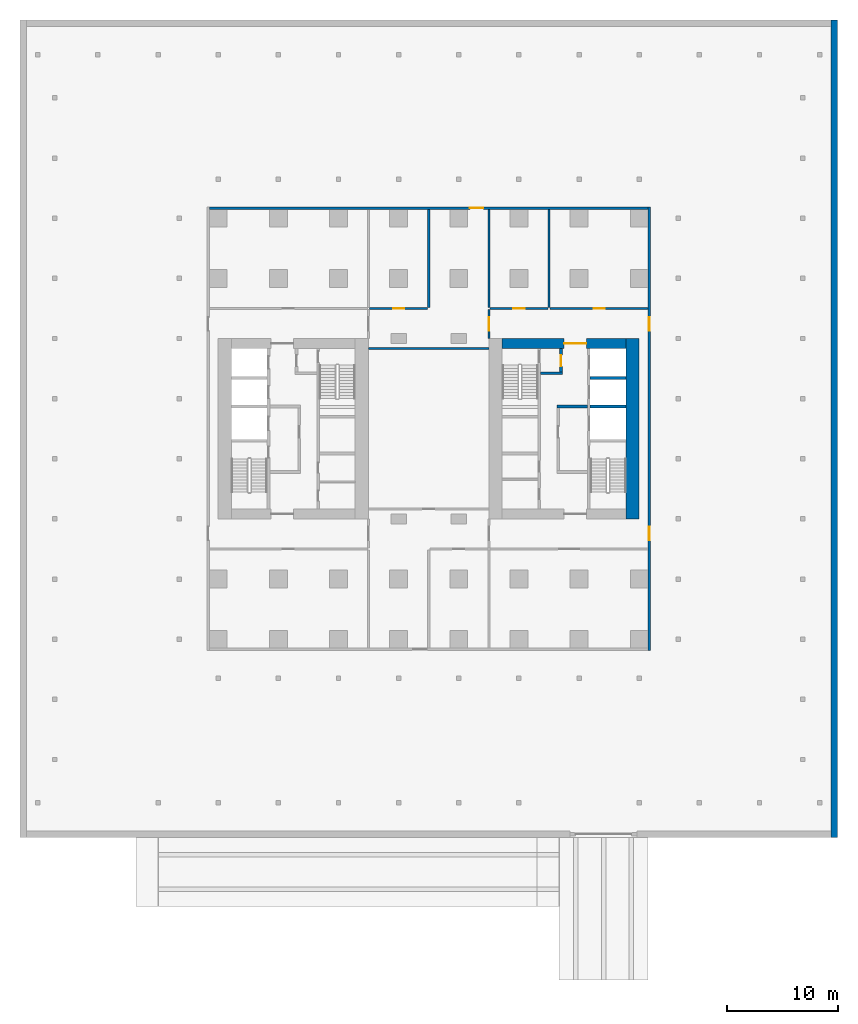
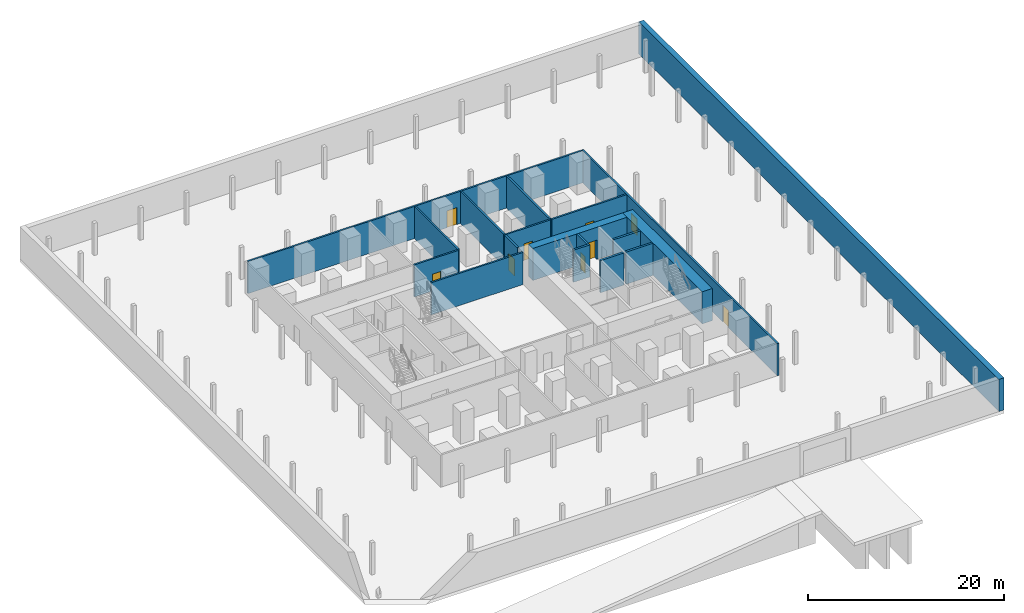
# One storey, part 4 of 6: 18 walls, 9 doors, 9 openings.
"""IFC4 building model written with IfcOpenShell, lengths in metres."""

from ifc_helpers import new_model, si_unit, direction, frame, frame_2d, origin, place, context, subcontext, project, spatial, rectangle, extrude, material, layer, layer_set, type_object, element, fill, save


model = new_model("IFC4")

# Units and contexts
model_context = context("Model", 3, precision=1e-05, world=origin(), true_north=direction((0.0, 1.0)))
body_context = subcontext(model_context, "Body", "Model", "MODEL_VIEW")
ifc_project = project(units=[si_unit("LENGTHUNIT", "METRE"), si_unit("AREAUNIT", "SQUARE_METRE"), si_unit("VOLUMEUNIT", "CUBIC_METRE"), si_unit("PLANEANGLEUNIT", "RADIAN"), si_unit("MASSUNIT", "GRAM", prefix="KILO")], contexts=[model_context])

# Site, building, storey
site_placement = place(None, origin())
site = spatial("IfcSite", under=ifc_project, at=site_placement, CompositionType="ELEMENT")
building_placement = place(site_placement, origin())
building = spatial("IfcBuilding", under=site, at=building_placement, Name="Tabaq Tower and Sports Hall", CompositionType="ELEMENT")
storey_placement = place(building_placement, frame((0.0, 0.0, -4.5)))
storey = spatial("IfcBuildingStorey", under=building, at=storey_placement, Name="B01", CompositionType="ELEMENT", Elevation=-4.5)

# Wall, opening, door
ifc_material_1 = material(Name="Blockwork", Category="masonry")
ifc_layer_1 = layer(ifc_material_1, 0.199951171875)
ifc_layer_set_1 = layer_set([ifc_layer_1], Name="Blockwork Wall 200 EI 120")
wall_type_1 = type_object("IfcWallType", Name="Blockwork Wall 200 EI 120", PredefinedType="PARTITIONING", material=ifc_layer_set_1)
wall_1_placement = place(storey_placement, frame((4.60009765625, 44.10009765625, 0.0), z_axis=(0.0, 0.0, 1.0), x_axis=(1.0, 0.0, 0.0)))
wall_1 = element("IfcWall", 1, at=wall_1_placement, inside=storey, type_object=wall_type_1, Name="Wall B01-02", PredefinedType="PARTITIONING", context=body_context, shape_type="SweptSolid", body=[
    extrude(rectangle(XDim=39.39990234375, YDim=0.199951171875, at=frame_2d((19.699951171875, 0.0))), origin(), (0.0, 0.0, 1.0), 4.0),
])
opening_1_placement = place(wall_1_placement, frame((23.39990234375, 0.0, 0.0)))
opening_1 = element("IfcOpeningElement", 2, at=opening_1_placement, cuts=wall_1, Name="Opening B01-02", PredefinedType="OPENING", context=body_context, shape_type="SweptSolid", body=[
    extrude(rectangle(XDim=1.199951171875, YDim=2.10009765625, at=frame_2d((0.60009765625, 1.050048828125))), frame((0.0, 0.10986328125, 0.0), z_axis=(0.0, -1.0, 0.0), x_axis=(1.0, 0.0, 0.0)), (0.0, 0.0, 1.0), 0.219970703125),
])
ifc_material_2 = material(Name="Hollow metal fire door")
door_type_1 = type_object("IfcDoorType", Name="Basement Door 1200 FD120S", OperationType="SINGLE_SWING_LEFT", PredefinedType="DOOR", material=ifc_material_2)
door_1_placement = place(opening_1_placement, origin())
door_1 = element("IfcDoor", 3, at=door_1_placement, inside=storey, type_object=door_type_1, Name="Door B01-02", OperationType="SINGLE_SWING_LEFT", OverallHeight=2.10009765625, OverallWidth=1.199951171875, PredefinedType="DOOR", context=body_context, shape_type="SweptSolid", body=[
    extrude(rectangle(XDim=1.199951171875, YDim=2.10009765625, at=frame_2d((0.60009765625, 1.050048828125))), frame((0.0, 0.02490234375, 0.0), z_axis=(0.0, -1.0, 0.0), x_axis=(1.0, 0.0, 0.0)), (0.0, 0.0, 1.0), 0.050048828125),
])
fill(opening_1, door_1)

# Wall, openings, doors
wall_2_placement = place(storey_placement, frame((44.10009765625, 4.39990234375, 0.0), z_axis=(0.0, 0.0, 1.0), x_axis=(0.0, 1.0, 0.0)))
wall_2 = element("IfcWall", 4, at=wall_2_placement, inside=storey, type_object=wall_type_1, Name="Wall B01-04", PredefinedType="PARTITIONING", context=body_context, shape_type="SweptSolid", body=[
    extrude(rectangle(XDim=39.800048828125, YDim=0.199951171875, at=frame_2d((19.89990234375, 0.0))), origin(), (0.0, 0.0, 1.0), 4.0),
])
opening_2_placement = place(wall_2_placement, frame((9.89990234375, 0.0, 0.0)))
opening_2 = element("IfcOpeningElement", 5, at=opening_2_placement, cuts=wall_2, Name="Opening B01-05", PredefinedType="OPENING", context=body_context, shape_type="SweptSolid", body=[
    extrude(rectangle(XDim=1.199951171875, YDim=2.10009765625, at=frame_2d((0.60009765625, 1.050048828125))), frame((0.0, 0.10986328125, 0.0), z_axis=(0.0, -1.0, 0.0), x_axis=(1.0, 0.0, 0.0)), (0.0, 0.0, 1.0), 0.219970703125),
])
opening_3_placement = place(wall_2_placement, frame((28.699951171875, 0.0, 0.0)))
opening_3 = element("IfcOpeningElement", 6, at=opening_3_placement, cuts=wall_2, Name="Opening B01-06", PredefinedType="OPENING", context=body_context, shape_type="SweptSolid", body=[
    extrude(rectangle(XDim=1.199951171875, YDim=2.10009765625, at=frame_2d((0.60009765625, 1.050048828125))), frame((0.0, 0.10986328125, 0.0), z_axis=(0.0, -1.0, 0.0), x_axis=(1.0, 0.0, 0.0)), (0.0, 0.0, 1.0), 0.219970703125),
])
door_2_placement = place(opening_2_placement, origin())
door_2 = element("IfcDoor", 7, at=door_2_placement, inside=storey, type_object=door_type_1, Name="Door B01-05", OperationType="SINGLE_SWING_LEFT", OverallHeight=2.10009765625, OverallWidth=1.199951171875, PredefinedType="DOOR", context=body_context, shape_type="SweptSolid", body=[
    extrude(rectangle(XDim=1.199951171875, YDim=2.10009765625, at=frame_2d((0.60009765625, 1.050048828125))), frame((0.0, 0.02490234375, 0.0), z_axis=(0.0, -1.0, 0.0), x_axis=(1.0, 0.0, 0.0)), (0.0, 0.0, 1.0), 0.050048828125),
])
fill(opening_2, door_2)
door_3_placement = place(opening_3_placement, origin())
door_3 = element("IfcDoor", 8, at=door_3_placement, inside=storey, type_object=door_type_1, Name="Door B01-06", OperationType="SINGLE_SWING_LEFT", OverallHeight=2.10009765625, OverallWidth=1.199951171875, PredefinedType="DOOR", context=body_context, shape_type="SweptSolid", body=[
    extrude(rectangle(XDim=1.199951171875, YDim=2.10009765625, at=frame_2d((0.60009765625, 1.050048828125))), frame((0.0, 0.02490234375, 0.0), z_axis=(0.0, -1.0, 0.0), x_axis=(1.0, 0.0, 0.0)), (0.0, 0.0, 1.0), 0.050048828125),
])
fill(opening_3, door_3)

# Walls
ifc_material_3 = material(Name="Blockwork", Category="masonry")
ifc_layer_2 = layer(ifc_material_3, 0.199951171875)
ifc_layer_set_2 = layer_set([ifc_layer_2], Name="Blockwork Wall 200 EI 60")
wall_type_2 = type_object("IfcWallType", Name="Blockwork Wall 200 EI 60", PredefinedType="PARTITIONING", material=ifc_layer_set_2)
for number, where, z_axis, x_axis, name in (
    (9, (24.300048828125, 35.199951171875, 0.0), (0.0, 0.0, 1.0), (0.0, 1.0, 0.0), "Wall B01-09"),
    (10, (29.699951171875, 35.199951171875, 0.0), (0.0, 0.0, 1.0), (0.0, 1.0, 0.0), "Wall B01-10"),
    (11, (35.10009765625, 35.199951171875, 0.0), (0.0, 0.0, 1.0), (0.0, 1.0, 0.0), "Wall B01-11"),
):
    element("IfcWall", number, at=place(storey_placement, frame(where, z_axis=z_axis, x_axis=x_axis)), inside=storey, type_object=wall_type_2, Name=name, PredefinedType="PARTITIONING", context=body_context, shape_type="SweptSolid", body=[
        extrude(rectangle(XDim=8.800048828125, YDim=0.199951171875, at=frame_2d((4.39990234375, 0.0))), origin(), (0.0, 0.0, 1.0), 4.0),
    ])

# Wall, opening, door
wall_3_placement = place(storey_placement, frame((19.0, 35.10009765625, 0.0), z_axis=(0.0, 0.0, 1.0), x_axis=(1.0, 0.0, 0.0)))
wall_3 = element("IfcWall", 12, at=wall_3_placement, inside=storey, type_object=wall_type_2, Name="Wall B01-16", PredefinedType="PARTITIONING", context=body_context, shape_type="SweptSolid", body=[
    extrude(rectangle(XDim=5.199951171875, YDim=0.199951171875, at=frame_2d((2.60009765625, 0.0))), origin(), (0.0, 0.0, 1.0), 4.0),
])
opening_4_placement = place(wall_3_placement, frame((2.10009765625, 0.0, 0.0)))
opening_4 = element("IfcOpeningElement", 13, at=opening_4_placement, cuts=wall_3, Name="Opening B01-11", PredefinedType="OPENING", context=body_context, shape_type="SweptSolid", body=[
    extrude(rectangle(XDim=1.0, YDim=2.10009765625, at=frame_2d((0.5, 1.050048828125))), frame((0.0, 0.10986328125, 0.0), z_axis=(0.0, -1.0, 0.0), x_axis=(1.0, 0.0, 0.0)), (0.0, 0.0, 1.0), 0.219970703125),
])
ifc_material_4 = material(Name="Hollow metal fire door")
door_type_2 = type_object("IfcDoorType", Name="Basement Door 1000 FD60S", OperationType="SINGLE_SWING_LEFT", PredefinedType="DOOR", material=ifc_material_4)
door_4_placement = place(opening_4_placement, origin())
door_4 = element("IfcDoor", 14, at=door_4_placement, inside=storey, type_object=door_type_2, Name="Door B01-11", OperationType="SINGLE_SWING_LEFT", OverallHeight=2.10009765625, OverallWidth=1.0, PredefinedType="DOOR", context=body_context, shape_type="SweptSolid", body=[
    extrude(rectangle(XDim=1.0, YDim=2.10009765625, at=frame_2d((0.5, 1.050048828125))), frame((0.0, 0.02490234375, 0.0), z_axis=(0.0, -1.0, 0.0), x_axis=(1.0, 0.0, 0.0)), (0.0, 0.0, 1.0), 0.050048828125),
])
fill(opening_4, door_4)

wall_4_placement = place(storey_placement, frame((29.800048828125, 35.10009765625, 0.0), z_axis=(0.0, 0.0, 1.0), x_axis=(1.0, 0.0, 0.0)))
wall_4 = element("IfcWall", 15, at=wall_4_placement, inside=storey, type_object=wall_type_2, Name="Wall B01-17", PredefinedType="PARTITIONING", context=body_context, shape_type="SweptSolid", body=[
    extrude(rectangle(XDim=5.199951171875, YDim=0.199951171875, at=frame_2d((2.60009765625, 0.0))), origin(), (0.0, 0.0, 1.0), 4.0),
])
opening_5_placement = place(wall_4_placement, frame((2.10009765625, 0.0, 0.0)))
opening_5 = element("IfcOpeningElement", 16, at=opening_5_placement, cuts=wall_4, Name="Opening B01-12", PredefinedType="OPENING", context=body_context, shape_type="SweptSolid", body=[
    extrude(rectangle(XDim=1.0, YDim=2.10009765625, at=frame_2d((0.5, 1.050048828125))), frame((0.0, 0.10986328125, 0.0), z_axis=(0.0, -1.0, 0.0), x_axis=(1.0, 0.0, 0.0)), (0.0, 0.0, 1.0), 0.219970703125),
])
door_5_placement = place(opening_5_placement, origin())
door_5 = element("IfcDoor", 17, at=door_5_placement, inside=storey, type_object=door_type_2, Name="Door B01-12", OperationType="SINGLE_SWING_LEFT", OverallHeight=2.10009765625, OverallWidth=1.0, PredefinedType="DOOR", context=body_context, shape_type="SweptSolid", body=[
    extrude(rectangle(XDim=1.0, YDim=2.10009765625, at=frame_2d((0.5, 1.050048828125))), frame((0.0, 0.02490234375, 0.0), z_axis=(0.0, -1.0, 0.0), x_axis=(1.0, 0.0, 0.0)), (0.0, 0.0, 1.0), 0.050048828125),
])
fill(opening_5, door_5)

wall_5_placement = place(storey_placement, frame((35.199951171875, 35.10009765625, 0.0), z_axis=(0.0, 0.0, 1.0), x_axis=(1.0, 0.0, 0.0)))
wall_5 = element("IfcWall", 18, at=wall_5_placement, inside=storey, type_object=wall_type_2, Name="Wall B01-18", PredefinedType="PARTITIONING", context=body_context, shape_type="SweptSolid", body=[
    extrude(rectangle(XDim=8.800048828125, YDim=0.199951171875, at=frame_2d((4.39990234375, 0.0))), origin(), (0.0, 0.0, 1.0), 4.0),
])
opening_6_placement = place(wall_5_placement, frame((3.89990234375, 0.0, 0.0)))
opening_6 = element("IfcOpeningElement", 19, at=opening_6_placement, cuts=wall_5, Name="Opening B01-13", PredefinedType="OPENING", context=body_context, shape_type="SweptSolid", body=[
    extrude(rectangle(XDim=1.0, YDim=2.10009765625, at=frame_2d((0.5, 1.050048828125))), frame((0.0, 0.10986328125, 0.0), z_axis=(0.0, -1.0, 0.0), x_axis=(1.0, 0.0, 0.0)), (0.0, 0.0, 1.0), 0.219970703125),
])
door_6_placement = place(opening_6_placement, origin())
door_6 = element("IfcDoor", 20, at=door_6_placement, inside=storey, type_object=door_type_2, Name="Door B01-13", OperationType="SINGLE_SWING_LEFT", OverallHeight=2.10009765625, OverallWidth=1.0, PredefinedType="DOOR", context=body_context, shape_type="SweptSolid", body=[
    extrude(rectangle(XDim=1.0, YDim=2.10009765625, at=frame_2d((0.5, 1.050048828125))), frame((0.0, 0.02490234375, 0.0), z_axis=(0.0, -1.0, 0.0), x_axis=(1.0, 0.0, 0.0)), (0.0, 0.0, 1.0), 0.050048828125),
])
fill(opening_6, door_6)

wall_6_placement = place(storey_placement, frame((29.699951171875, 32.39990234375, 0.0), z_axis=(0.0, 0.0, 1.0), x_axis=(0.0, 1.0, 0.0)))
wall_6 = element("IfcWall", 21, at=wall_6_placement, inside=storey, type_object=wall_type_2, Name="Wall B01-22", PredefinedType="PARTITIONING", context=body_context, shape_type="SweptSolid", body=[
    extrude(rectangle(XDim=2.60009765625, YDim=0.199951171875, at=frame_2d((1.300048828125, 0.0))), origin(), (0.0, 0.0, 1.0), 4.0),
])
opening_7_placement = place(wall_6_placement, frame((0.699951171875, 0.0, 0.0)))
opening_7 = element("IfcOpeningElement", 22, at=opening_7_placement, cuts=wall_6, Name="Opening B01-17", PredefinedType="OPENING", context=body_context, shape_type="SweptSolid", body=[
    extrude(rectangle(XDim=1.199951171875, YDim=2.10009765625, at=frame_2d((0.60009765625, 1.050048828125))), frame((0.0, 0.10986328125, 0.0), z_axis=(0.0, -1.0, 0.0), x_axis=(1.0, 0.0, 0.0)), (0.0, 0.0, 1.0), 0.219970703125),
])
ifc_material_5 = material(Name="Hollow metal fire door")
door_type_3 = type_object("IfcDoorType", Name="Basement Door 1200 FD60S", OperationType="SINGLE_SWING_LEFT", PredefinedType="DOOR", material=ifc_material_5)
door_7_placement = place(opening_7_placement, origin())
door_7 = element("IfcDoor", 23, at=door_7_placement, inside=storey, type_object=door_type_3, Name="Door B01-17", OperationType="SINGLE_SWING_LEFT", OverallHeight=2.10009765625, OverallWidth=1.199951171875, PredefinedType="DOOR", context=body_context, shape_type="SweptSolid", body=[
    extrude(rectangle(XDim=1.199951171875, YDim=2.10009765625, at=frame_2d((0.60009765625, 1.050048828125))), frame((0.0, 0.02490234375, 0.0), z_axis=(0.0, -1.0, 0.0), x_axis=(1.0, 0.0, 0.0)), (0.0, 0.0, 1.0), 0.050048828125),
])
fill(opening_7, door_7)

# Walls
wall_7_placement = place(storey_placement, frame((18.89990234375, 31.5, 0.0), z_axis=(0.0, 0.0, 1.0), x_axis=(1.0, 0.0, 0.0)))
element("IfcWall", 24, at=wall_7_placement, inside=storey, type_object=wall_type_2, Name="Wall B01-24", PredefinedType="PARTITIONING", context=body_context, shape_type="SweptSolid", body=[
    extrude(rectangle(XDim=10.800048828125, YDim=0.199951171875, at=frame_2d((5.39990234375, 0.0))), origin(), (0.0, 0.0, 1.0), 4.0),
])
ifc_material_6 = material(Name="Concrete C60/75", Category="concrete")
ifc_layer_3 = layer(ifc_material_6, 1.199951171875)
ifc_layer_set_3 = layer_set([ifc_layer_3], Name="Core wall 1200 Concrete C60/75")
wall_type_3 = type_object("IfcWallType", Name="Core wall 1200 Concrete C60/75", PredefinedType="SOLIDWALL", material=ifc_layer_set_3)
wall_8_placement = place(storey_placement, frame((42.60009765625, 32.39990234375, 0.0), z_axis=(0.0, 0.0, 1.0), x_axis=(0.0, -1.0, 0.0)))
element("IfcWall", 25, at=wall_8_placement, inside=storey, type_object=wall_type_3, Name="Core wall E B01", PredefinedType="SOLIDWALL", context=body_context, shape_type="SweptSolid", body=[
    extrude(rectangle(XDim=16.199951171875, YDim=1.199951171875, at=frame_2d((8.10009765625, 0.0))), origin(), (0.0, 0.0, 1.0), 4.0),
])

# Wall, opening, door
ifc_material_7 = material(Name="Concrete C60/75", Category="concrete")
ifc_layer_4 = layer(ifc_material_7, 0.89990234375)
ifc_layer_set_4 = layer_set([ifc_layer_4], Name="Core wall 900 Concrete C60/75")
wall_type_4 = type_object("IfcWallType", Name="Core wall 900 Concrete C60/75", PredefinedType="SOLIDWALL", material=ifc_layer_set_4)
wall_9_placement = place(storey_placement, frame((30.89990234375, 31.949951171875, 0.0), z_axis=(0.0, 0.0, 1.0), x_axis=(1.0, 0.0, 0.0)))
wall_9 = element("IfcWall", 26, at=wall_9_placement, inside=storey, type_object=wall_type_4, Name="Core wall E B01", PredefinedType="SOLIDWALL", context=body_context, shape_type="SweptSolid", body=[
    extrude(rectangle(XDim=11.10009765625, YDim=0.89990234375, at=frame_2d((5.550048828125, 0.0))), origin(), (0.0, 0.0, 1.0), 4.0),
])
opening_8_placement = place(wall_9_placement, frame((5.550048828125, 0.0, 0.0)))
opening_8 = element("IfcOpeningElement", 27, at=opening_8_placement, cuts=wall_9, Name="Opening PD-EB01-02", PredefinedType="OPENING", context=body_context, shape_type="SweptSolid", body=[
    extrude(rectangle(XDim=2.0, YDim=2.39990234375, at=frame_2d((1.0, 1.199951171875))), frame((0.0, 0.449951171875, 0.0), z_axis=(0.0, -1.0, 0.0), x_axis=(1.0, 0.0, 0.0)), (0.0, 0.0, 1.0), 0.89990234375),
])
ifc_material_8 = material(Name="Steel fire door", Category="steel")
door_type_4 = type_object("IfcDoorType", Name="Core entrance door 2000", OperationType="DOUBLE_DOOR_SINGLE_SWING", PredefinedType="DOOR", material=ifc_material_8)
door_8_placement = place(opening_8_placement, origin())
door_8 = element("IfcDoor", 28, at=door_8_placement, inside=storey, type_object=door_type_4, Name="Core entrance north E B01", OperationType="DOUBLE_DOOR_SINGLE_SWING", OverallHeight=2.39990234375, OverallWidth=2.0, PredefinedType="DOOR", context=body_context, shape_type="SweptSolid", body=[
    extrude(rectangle(XDim=2.0, YDim=2.39990234375, at=frame_2d((1.0, 1.199951171875))), frame((0.0, 0.02490234375, 0.0), z_axis=(0.0, -1.0, 0.0), x_axis=(1.0, 0.0, 0.0)), (0.0, 0.0, 1.0), 0.050048828125),
])
fill(opening_8, door_8)

# Walls
ifc_material_9 = material(Name="Concrete C60/75", Category="concrete")
ifc_layer_5 = layer(ifc_material_9, 0.60009765625)
ifc_layer_set_5 = layer_set([ifc_layer_5], Name="RC RETAINING WALL 600 C60/75")
wall_type_5 = type_object("IfcWallType", Name="RC RETAINING WALL 600 C60/75", PredefinedType="SOLIDWALL", material=ifc_layer_set_5)
wall_10_placement = place(storey_placement, frame((60.699951171875, -12.39990234375, 0.0), z_axis=(0.0, 0.0, 1.0), x_axis=(0.0, 1.0, 0.0)))
element("IfcWall", 29, at=wall_10_placement, inside=storey, type_object=wall_type_5, Name="Retaining Wall East B01", PredefinedType="SOLIDWALL", context=body_context, shape_type="SweptSolid", body=[
    extrude(rectangle(XDim=73.39990234375, YDim=0.60009765625, at=frame_2d((36.699951171875, 0.0))), origin(), (0.0, 0.0, 1.0), 4.0),
])
ifc_material_10 = material(Name="Concrete C40/50", Category="concrete")
ifc_layer_6 = layer(ifc_material_10, 0.25)
ifc_layer_set_6 = layer_set([ifc_layer_6], Name="Shaft and stair wall 250 Concrete C40/50")
wall_type_6 = type_object("IfcWallType", Name="Shaft and stair wall 250 Concrete C40/50", PredefinedType="SOLIDWALL", material=ifc_layer_set_6)
wall_11_placement = place(storey_placement, frame((38.800048828125, 26.300048828125, 0.0), z_axis=(0.0, 0.0, 1.0), x_axis=(1.0, 0.0, 0.0)))
element("IfcWall", 30, at=wall_11_placement, inside=storey, type_object=wall_type_6, Name="Shaft wall E B01", PredefinedType="SOLIDWALL", context=body_context, shape_type="SweptSolid", body=[
    extrude(rectangle(XDim=3.199951171875, YDim=0.25, at=frame_2d((1.60009765625, 0.0))), origin(), (0.0, 0.0, 1.0), 4.0),
])
wall_12_placement = place(storey_placement, frame((35.800048828125, 26.300048828125, 0.0), z_axis=(0.0, 0.0, 1.0), x_axis=(1.0, 0.0, 0.0)))
element("IfcWall", 31, at=wall_12_placement, inside=storey, type_object=wall_type_6, Name="Fire-fighting lobby wall E B01", PredefinedType="SOLIDWALL", context=body_context, shape_type="SweptSolid", body=[
    extrude(rectangle(XDim=2.75, YDim=0.25, at=frame_2d((1.375, 0.0))), origin(), (0.0, 0.0, 1.0), 4.0),
])

# Wall, opening, door
wall_13_placement = place(storey_placement, frame((36.175048828125, 29.39990234375, 0.0), z_axis=(0.0, 0.0, 1.0), x_axis=(0.0, 1.0, 0.0)))
wall_13 = element("IfcWall", 32, at=wall_13_placement, inside=storey, type_object=wall_type_6, Name="Fire-fighting lobby wall E B01", PredefinedType="SOLIDWALL", context=body_context, shape_type="SweptSolid", body=[
    extrude(rectangle(XDim=2.10009765625, YDim=0.25, at=frame_2d((1.050048828125, 0.0))), origin(), (0.0, 0.0, 1.0), 4.0),
])
opening_9_placement = place(wall_13_placement, frame((0.5, 0.0, 0.0)))
opening_9 = element("IfcOpeningElement", 33, at=opening_9_placement, cuts=wall_13, Name="Opening FD-EB01-06", PredefinedType="OPENING", context=body_context, shape_type="SweptSolid", body=[
    extrude(rectangle(XDim=1.0, YDim=2.10009765625, at=frame_2d((0.5, 1.050048828125))), frame((0.0, 0.125, 0.0), z_axis=(0.0, -1.0, 0.0), x_axis=(1.0, 0.0, 0.0)), (0.0, 0.0, 1.0), 0.25),
])
ifc_material_11 = material(Name="Steel fire door", Category="steel")
door_type_5 = type_object("IfcDoorType", Name="Fire-fighting lobby door 1000", OperationType="SINGLE_SWING_LEFT", PredefinedType="DOOR", material=ifc_material_11)
door_9_placement = place(opening_9_placement, origin())
door_9 = element("IfcDoor", 34, at=door_9_placement, inside=storey, type_object=door_type_5, Name="Stair lobby door E B01", OperationType="SINGLE_SWING_LEFT", OverallHeight=2.10009765625, OverallWidth=1.0, PredefinedType="DOOR", context=body_context, shape_type="SweptSolid", body=[
    extrude(rectangle(XDim=1.0, YDim=2.10009765625, at=frame_2d((0.5, 1.050048828125))), frame((0.0, 0.02490234375, 0.0), z_axis=(0.0, -1.0, 0.0), x_axis=(1.0, 0.0, 0.0)), (0.0, 0.0, 1.0), 0.050048828125),
])
fill(opening_9, door_9)

# Walls
wall_14_placement = place(storey_placement, frame((34.35009765625, 29.27490234375, 0.0), z_axis=(0.0, 0.0, 1.0), x_axis=(1.0, 0.0, 0.0)))
element("IfcWall", 35, at=wall_14_placement, inside=storey, type_object=wall_type_6, Name="Fire-fighting lobby wall E B01", PredefinedType="SOLIDWALL", context=body_context, shape_type="SweptSolid", body=[
    extrude(rectangle(XDim=1.949951171875, YDim=0.25, at=frame_2d((0.97509765625, 0.0))), origin(), (0.0, 0.0, 1.0), 4.0),
])
wall_15_placement = place(storey_placement, frame((38.800048828125, 28.85009765625, 0.0), z_axis=(0.0, 0.0, 1.0), x_axis=(1.0, 0.0, 0.0)))
element("IfcWall", 36, at=wall_15_placement, inside=storey, type_object=wall_type_6, Name="Shaft wall E B01", PredefinedType="SOLIDWALL", context=body_context, shape_type="SweptSolid", body=[
    extrude(rectangle(XDim=3.199951171875, YDim=0.25, at=frame_2d((1.60009765625, 0.0))), origin(), (0.0, 0.0, 1.0), 4.0),
])

save(model, "model.ifc")
